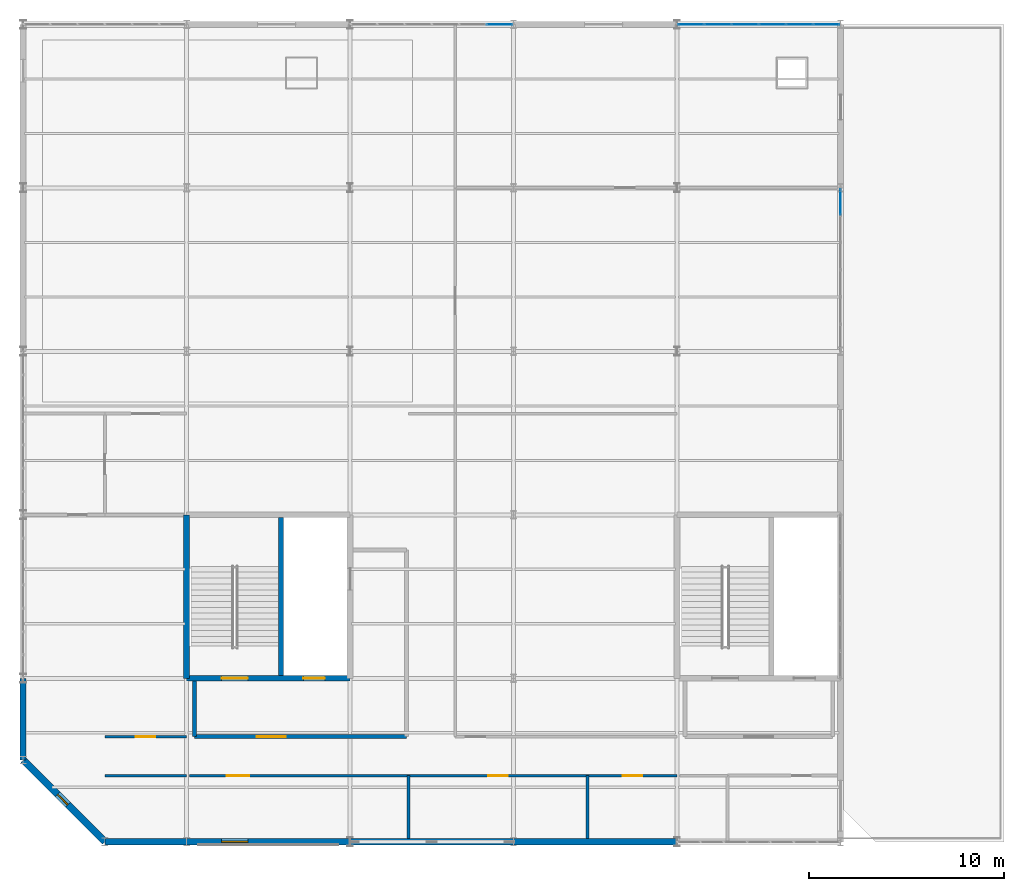
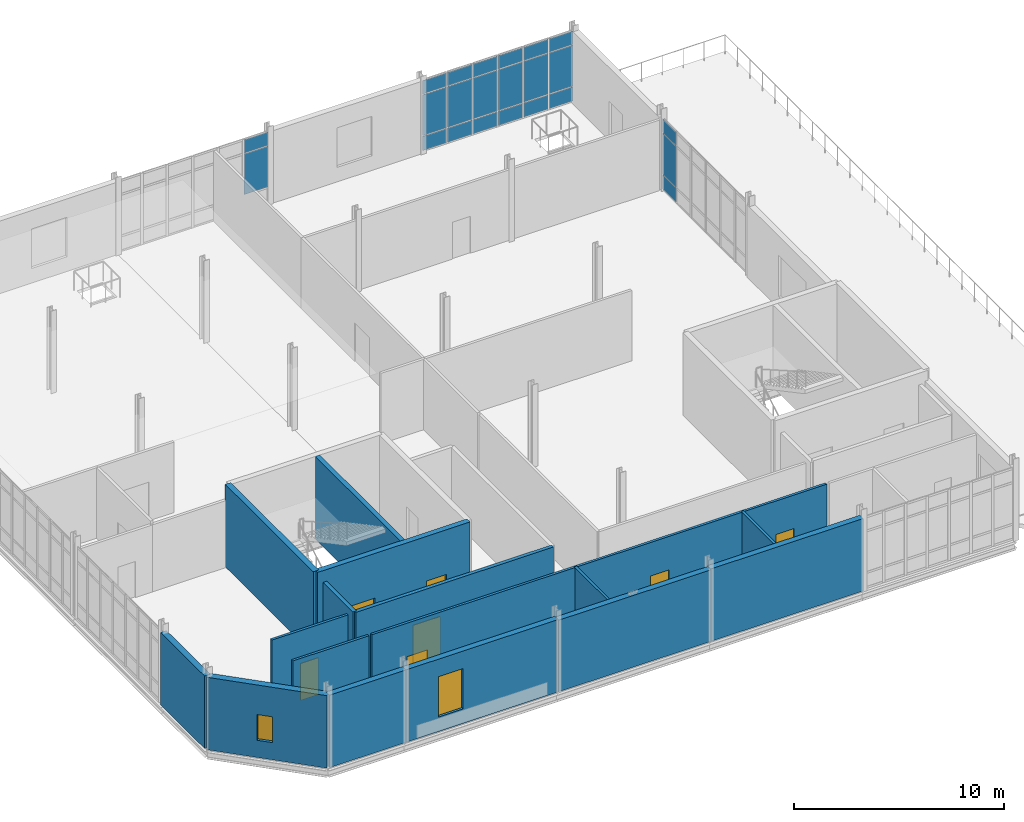
# One storey, part 23 of 28: 23 plates, 18 walls, 7 doors, 2 windows, 9 openings, 3 elements without a shape of their own.
"""IFC4 building model written with IfcOpenShell, lengths in metres."""

from ifc_helpers import new_model, si_unit, direction, frame, frame_2d, origin, origin_2d, place, context, subcontext, project, spatial, rectangle, extrude, material, layer, layer_set, type_object, element, fill, aggregate, save


model = new_model("IFC4")

# Units and contexts
model_context = context("Model", 3, precision=1e-05, world=origin(), true_north=direction((0.0, 1.0)))
body_context = subcontext(model_context, "Body", "Model", "MODEL_VIEW")
ifc_project = project(units=[si_unit("LENGTHUNIT", "METRE"), si_unit("AREAUNIT", "SQUARE_METRE"), si_unit("VOLUMEUNIT", "CUBIC_METRE"), si_unit("PLANEANGLEUNIT", "RADIAN"), si_unit("MASSUNIT", "GRAM", prefix="KILO")], contexts=[model_context])

# Site, building, storey
site_placement = place(None, origin())
site = spatial("IfcSite", under=ifc_project, at=site_placement, CompositionType="ELEMENT")
building_placement = place(site_placement, origin())
building = spatial("IfcBuilding", under=site, at=building_placement, Name="Qalvenar Corner Mobility Hub", CompositionType="ELEMENT")
storey_placement = place(building_placement, frame((0.0, 0.0, 21.60009765625)))
storey = spatial("IfcBuildingStorey", under=building, at=storey_placement, Name="L05", CompositionType="ELEMENT", Elevation=21.60009765625)

# Curtain wall, plates
ifc_material_1 = material(Name="Anodised Aluminium and Low-E Glazing", Category="aluminium")
ifc_layer_1 = layer(ifc_material_1, 0.14990234375)
ifc_layer_set_1 = layer_set([ifc_layer_1], Name="Anodised Aluminium and Low-E Glazing")
curtain_wall_type_1 = type_object("IfcCurtainWallType", Name="CW-CIV-84X40", PredefinedType="NOTDEFINED", material=ifc_layer_set_1)
curtain_wall_1_placement = place(storey_placement, origin())
curtain_wall_1 = element("IfcCurtainWall", 1, at=curtain_wall_1_placement, inside=storey, type_object=curtain_wall_type_1, Name="Glazed Curtain Wall CW-V3-L05-N2", PredefinedType="NOTDEFINED")
ifc_material_2 = material(Name="Solar-Control Low-E Double Glazing", Category="glass")
ifc_layer_2 = layer(ifc_material_2, 0.028076171875)
ifc_layer_set_2 = layer_set([ifc_layer_2], Name="Solar-Control Low-E Double Glazing")
plate_type = type_object("IfcPlateType", Name="PLT-CWP-GLZ1", PredefinedType="CURTAIN_PANEL", material=ifc_layer_set_2)
plate_1_placement = place(storey_placement, frame((24.485107421875, 42.0, 0.92724609375), z_axis=(0.0, 0.0, 1.0), x_axis=(-1.0, 0.0, 0.0)))
plate_1 = element("IfcPlate", 2, at=plate_1_placement, type_object=plate_type, Name="CW-05 panel 1.2", PredefinedType="CURTAIN_PANEL", context=body_context, shape_type="SweptSolid", body=[
    extrude(rectangle(XDim=1.31005859375, YDim=0.028076171875, at=origin_2d()), origin(), (0.0, 0.0, 1.0), 2.364990234375),
])
plate_2_placement = place(storey_placement, frame((24.485107421875, 42.0, 3.347412109375), z_axis=(0.0, 0.0, 1.0), x_axis=(-1.0, 0.0, 0.0)))
plate_2 = element("IfcPlate", 3, at=plate_2_placement, type_object=plate_type, Name="CW-05 panel 1.3", PredefinedType="CURTAIN_PANEL", context=body_context, shape_type="SweptSolid", body=[
    extrude(rectangle(XDim=1.31005859375, YDim=0.028076171875, at=origin_2d()), origin(), (0.0, 0.0, 1.0), 0.767578125),
])
aggregate(curtain_wall_1, [plate_1, plate_2])

curtain_wall_2_placement = place(storey_placement, origin())
curtain_wall_2 = element("IfcCurtainWall", 4, at=curtain_wall_2_placement, inside=storey, type_object=curtain_wall_type_1, Name="Glazed Curtain Wall CW-V3-L05-N4", PredefinedType="NOTDEFINED")
plate_3_placement = place(storey_placement, frame((41.284912109375, 42.0, 0.054931640625), z_axis=(0.0, 0.0, 1.0), x_axis=(-1.0, 0.0, 0.0)))
plate_3 = element("IfcPlate", 5, at=plate_3_placement, type_object=plate_type, Name="CW-05 panel 1.1", PredefinedType="CURTAIN_PANEL", context=body_context, shape_type="SweptSolid", body=[
    extrude(rectangle(XDim=1.31005859375, YDim=0.028076171875, at=origin_2d()), origin(), (0.0, 0.0, 1.0), 0.8173828125),
])
plate_4_placement = place(storey_placement, frame((41.284912109375, 42.0, 0.92724609375), z_axis=(0.0, 0.0, 1.0), x_axis=(-1.0, 0.0, 0.0)))
plate_4 = element("IfcPlate", 6, at=plate_4_placement, type_object=plate_type, Name="CW-05 panel 1.2", PredefinedType="CURTAIN_PANEL", context=body_context, shape_type="SweptSolid", body=[
    extrude(rectangle(XDim=1.31005859375, YDim=0.028076171875, at=origin_2d()), origin(), (0.0, 0.0, 1.0), 2.364990234375),
])
plate_5_placement = place(storey_placement, frame((41.284912109375, 42.0, 3.347412109375), z_axis=(0.0, 0.0, 1.0), x_axis=(-1.0, 0.0, 0.0)))
plate_5 = element("IfcPlate", 7, at=plate_5_placement, type_object=plate_type, Name="CW-05 panel 1.3", PredefinedType="CURTAIN_PANEL", context=body_context, shape_type="SweptSolid", body=[
    extrude(rectangle(XDim=1.31005859375, YDim=0.028076171875, at=origin_2d()), origin(), (0.0, 0.0, 1.0), 0.767578125),
])
plate_6_placement = place(storey_placement, frame((39.89990234375, 42.0, 0.054931640625), z_axis=(0.0, 0.0, 1.0), x_axis=(-1.0, 0.0, 0.0)))
plate_6 = element("IfcPlate", 8, at=plate_6_placement, type_object=plate_type, Name="CW-05 panel 2.1", PredefinedType="CURTAIN_PANEL", context=body_context, shape_type="SweptSolid", body=[
    extrude(rectangle(XDim=1.340087890625, YDim=0.028076171875, at=origin_2d()), origin(), (0.0, 0.0, 1.0), 0.8173828125),
])
plate_7_placement = place(storey_placement, frame((39.89990234375, 42.0, 0.92724609375), z_axis=(0.0, 0.0, 1.0), x_axis=(-1.0, 0.0, 0.0)))
plate_7 = element("IfcPlate", 9, at=plate_7_placement, type_object=plate_type, Name="CW-05 panel 2.2", PredefinedType="CURTAIN_PANEL", context=body_context, shape_type="SweptSolid", body=[
    extrude(rectangle(XDim=1.340087890625, YDim=0.028076171875, at=origin_2d()), origin(), (0.0, 0.0, 1.0), 2.364990234375),
])
plate_8_placement = place(storey_placement, frame((39.89990234375, 42.0, 3.347412109375), z_axis=(0.0, 0.0, 1.0), x_axis=(-1.0, 0.0, 0.0)))
plate_8 = element("IfcPlate", 10, at=plate_8_placement, type_object=plate_type, Name="CW-05 panel 2.3", PredefinedType="CURTAIN_PANEL", context=body_context, shape_type="SweptSolid", body=[
    extrude(rectangle(XDim=1.340087890625, YDim=0.028076171875, at=origin_2d()), origin(), (0.0, 0.0, 1.0), 0.767578125),
])
plate_9_placement = place(storey_placement, frame((38.5, 42.0, 0.054931640625), z_axis=(0.0, 0.0, 1.0), x_axis=(-1.0, 0.0, 0.0)))
plate_9 = element("IfcPlate", 11, at=plate_9_placement, type_object=plate_type, Name="CW-05 panel 3.1", PredefinedType="CURTAIN_PANEL", context=body_context, shape_type="SweptSolid", body=[
    extrude(rectangle(XDim=1.340087890625, YDim=0.028076171875, at=origin_2d()), origin(), (0.0, 0.0, 1.0), 0.8173828125),
])
plate_10_placement = place(storey_placement, frame((38.5, 42.0, 0.92724609375), z_axis=(0.0, 0.0, 1.0), x_axis=(-1.0, 0.0, 0.0)))
plate_10 = element("IfcPlate", 12, at=plate_10_placement, type_object=plate_type, Name="CW-05 panel 3.2", PredefinedType="CURTAIN_PANEL", context=body_context, shape_type="SweptSolid", body=[
    extrude(rectangle(XDim=1.340087890625, YDim=0.028076171875, at=origin_2d()), origin(), (0.0, 0.0, 1.0), 2.364990234375),
])
plate_11_placement = place(storey_placement, frame((38.5, 42.0, 3.347412109375), z_axis=(0.0, 0.0, 1.0), x_axis=(-1.0, 0.0, 0.0)))
plate_11 = element("IfcPlate", 13, at=plate_11_placement, type_object=plate_type, Name="CW-05 panel 3.3", PredefinedType="CURTAIN_PANEL", context=body_context, shape_type="SweptSolid", body=[
    extrude(rectangle(XDim=1.340087890625, YDim=0.028076171875, at=origin_2d()), origin(), (0.0, 0.0, 1.0), 0.767578125),
])
plate_12_placement = place(storey_placement, frame((37.10009765625, 42.0, 0.054931640625), z_axis=(0.0, 0.0, 1.0), x_axis=(-1.0, 0.0, 0.0)))
plate_12 = element("IfcPlate", 14, at=plate_12_placement, type_object=plate_type, Name="CW-05 panel 4.1", PredefinedType="CURTAIN_PANEL", context=body_context, shape_type="SweptSolid", body=[
    extrude(rectangle(XDim=1.340087890625, YDim=0.028076171875, at=origin_2d()), origin(), (0.0, 0.0, 1.0), 0.8173828125),
])
plate_13_placement = place(storey_placement, frame((37.10009765625, 42.0, 0.92724609375), z_axis=(0.0, 0.0, 1.0), x_axis=(-1.0, 0.0, 0.0)))
plate_13 = element("IfcPlate", 15, at=plate_13_placement, type_object=plate_type, Name="CW-05 panel 4.2", PredefinedType="CURTAIN_PANEL", context=body_context, shape_type="SweptSolid", body=[
    extrude(rectangle(XDim=1.340087890625, YDim=0.028076171875, at=origin_2d()), origin(), (0.0, 0.0, 1.0), 2.364990234375),
])
plate_14_placement = place(storey_placement, frame((37.10009765625, 42.0, 3.347412109375), z_axis=(0.0, 0.0, 1.0), x_axis=(-1.0, 0.0, 0.0)))
plate_14 = element("IfcPlate", 16, at=plate_14_placement, type_object=plate_type, Name="CW-05 panel 4.3", PredefinedType="CURTAIN_PANEL", context=body_context, shape_type="SweptSolid", body=[
    extrude(rectangle(XDim=1.340087890625, YDim=0.028076171875, at=origin_2d()), origin(), (0.0, 0.0, 1.0), 0.767578125),
])
plate_15_placement = place(storey_placement, frame((35.699951171875, 42.0, 0.054931640625), z_axis=(0.0, 0.0, 1.0), x_axis=(-1.0, 0.0, 0.0)))
plate_15 = element("IfcPlate", 17, at=plate_15_placement, type_object=plate_type, Name="CW-05 panel 5.1", PredefinedType="CURTAIN_PANEL", context=body_context, shape_type="SweptSolid", body=[
    extrude(rectangle(XDim=1.340087890625, YDim=0.028076171875, at=origin_2d()), origin(), (0.0, 0.0, 1.0), 0.8173828125),
])
plate_16_placement = place(storey_placement, frame((35.699951171875, 42.0, 0.92724609375), z_axis=(0.0, 0.0, 1.0), x_axis=(-1.0, 0.0, 0.0)))
plate_16 = element("IfcPlate", 18, at=plate_16_placement, type_object=plate_type, Name="CW-05 panel 5.2", PredefinedType="CURTAIN_PANEL", context=body_context, shape_type="SweptSolid", body=[
    extrude(rectangle(XDim=1.340087890625, YDim=0.028076171875, at=origin_2d()), origin(), (0.0, 0.0, 1.0), 2.364990234375),
])
plate_17_placement = place(storey_placement, frame((35.699951171875, 42.0, 3.347412109375), z_axis=(0.0, 0.0, 1.0), x_axis=(-1.0, 0.0, 0.0)))
plate_17 = element("IfcPlate", 19, at=plate_17_placement, type_object=plate_type, Name="CW-05 panel 5.3", PredefinedType="CURTAIN_PANEL", context=body_context, shape_type="SweptSolid", body=[
    extrude(rectangle(XDim=1.340087890625, YDim=0.028076171875, at=origin_2d()), origin(), (0.0, 0.0, 1.0), 0.767578125),
])
plate_18_placement = place(storey_placement, frame((34.31494140625, 42.0, 0.054931640625), z_axis=(0.0, 0.0, 1.0), x_axis=(-1.0, 0.0, 0.0)))
plate_18 = element("IfcPlate", 20, at=plate_18_placement, type_object=plate_type, Name="CW-05 panel 6.1", PredefinedType="CURTAIN_PANEL", context=body_context, shape_type="SweptSolid", body=[
    extrude(rectangle(XDim=1.31005859375, YDim=0.028076171875, at=origin_2d()), origin(), (0.0, 0.0, 1.0), 0.8173828125),
])
plate_19_placement = place(storey_placement, frame((34.31494140625, 42.0, 0.92724609375), z_axis=(0.0, 0.0, 1.0), x_axis=(-1.0, 0.0, 0.0)))
plate_19 = element("IfcPlate", 21, at=plate_19_placement, type_object=plate_type, Name="CW-05 panel 6.2", PredefinedType="CURTAIN_PANEL", context=body_context, shape_type="SweptSolid", body=[
    extrude(rectangle(XDim=1.31005859375, YDim=0.028076171875, at=origin_2d()), origin(), (0.0, 0.0, 1.0), 2.364990234375),
])
plate_20_placement = place(storey_placement, frame((34.31494140625, 42.0, 3.347412109375), z_axis=(0.0, 0.0, 1.0), x_axis=(-1.0, 0.0, 0.0)))
plate_20 = element("IfcPlate", 22, at=plate_20_placement, type_object=plate_type, Name="CW-05 panel 6.3", PredefinedType="CURTAIN_PANEL", context=body_context, shape_type="SweptSolid", body=[
    extrude(rectangle(XDim=1.31005859375, YDim=0.028076171875, at=origin_2d()), origin(), (0.0, 0.0, 1.0), 0.767578125),
])
aggregate(curtain_wall_2, [plate_3, plate_4, plate_5, plate_6, plate_7, plate_8, plate_9, plate_10, plate_11, plate_12, plate_13, plate_14, plate_15, plate_16, plate_17, plate_18, plate_19, plate_20])

ifc_layer_3 = layer(ifc_material_1, 0.14990234375)
ifc_layer_set_3 = layer_set([ifc_layer_3], Name="Anodised Aluminium and Low-E Glazing")
curtain_wall_type_2 = type_object("IfcCurtainWallType", Name="CW-SPT-84X44", PredefinedType="NOTDEFINED", material=ifc_layer_set_3)
curtain_wall_3_placement = place(storey_placement, origin())
curtain_wall_3 = element("IfcCurtainWall", 23, at=curtain_wall_3_placement, inside=storey, type_object=curtain_wall_type_2, Name="Glazed Curtain Wall CW-V3-L05-E3", PredefinedType="NOTDEFINED")
plate_21_placement = place(storey_placement, frame((42.0, 32.885009765625, 0.054931640625), z_axis=(0.0, 0.0, 1.0), x_axis=(0.0, 1.0, 0.0)))
plate_21 = element("IfcPlate", 24, at=plate_21_placement, type_object=plate_type, Name="CW-06 panel 6.1", PredefinedType="CURTAIN_PANEL", context=body_context, shape_type="SweptSolid", body=[
    extrude(rectangle(XDim=1.31005859375, YDim=0.028076171875, at=origin_2d()), origin(), (0.0, 0.0, 1.0), 0.8173828125),
])
plate_22_placement = place(storey_placement, frame((42.0, 32.885009765625, 0.92724609375), z_axis=(0.0, 0.0, 1.0), x_axis=(0.0, 1.0, 0.0)))
plate_22 = element("IfcPlate", 25, at=plate_22_placement, type_object=plate_type, Name="CW-06 panel 6.2", PredefinedType="CURTAIN_PANEL", context=body_context, shape_type="SweptSolid", body=[
    extrude(rectangle(XDim=1.31005859375, YDim=0.028076171875, at=origin_2d()), origin(), (0.0, 0.0, 1.0), 2.364990234375),
])
plate_23_placement = place(storey_placement, frame((42.0, 32.885009765625, 3.347412109375), z_axis=(0.0, 0.0, 1.0), x_axis=(0.0, 1.0, 0.0)))
plate_23 = element("IfcPlate", 26, at=plate_23_placement, type_object=plate_type, Name="CW-06 panel 6.3", PredefinedType="CURTAIN_PANEL", context=body_context, shape_type="SweptSolid", body=[
    extrude(rectangle(XDim=1.31005859375, YDim=0.028076171875, at=origin_2d()), origin(), (0.0, 0.0, 1.0), 0.767578125),
])
aggregate(curtain_wall_3, [plate_21, plate_22, plate_23])

# Wall
ifc_material_3 = material(Name="Concrete C40/50", Category="concrete")
ifc_layer_4 = layer(ifc_material_3, 0.25)
ifc_layer_set_4 = layer_set([ifc_layer_4], Name="Concrete C40/50")
wall_type_1 = type_object("IfcWallType", Name="WL-CORE250", PredefinedType="SHEAR", material=ifc_layer_set_4)
wall_1_placement = place(storey_placement, frame((13.25, 8.550048828125, 0.0), z_axis=(0.0, 0.0, 1.0), x_axis=(0.0, 1.0, 0.0)))
element("IfcWall", 27, at=wall_1_placement, inside=storey, type_object=wall_type_1, Name="Core Divider Wall C1-L05", PredefinedType="SHEAR", context=body_context, shape_type="SweptSolid", body=[
    extrude(rectangle(XDim=8.099853515625, YDim=0.25, at=frame_2d((4.0498046875, 0.0))), origin(), (0.0, 0.0, 1.0), 4.7998046875),
])

# Wall, openings, doors
ifc_layer_5 = layer(ifc_material_3, 0.300048828125)
ifc_layer_set_5 = layer_set([ifc_layer_5], Name="Concrete C40/50")
wall_type_2 = type_object("IfcWallType", Name="WL-CORE300", PredefinedType="SHEAR", material=ifc_layer_set_5)
wall_2_placement = place(storey_placement, frame((8.39990234375, 8.39990234375, 0.0), z_axis=(0.0, 0.0, 1.0), x_axis=(1.0, 0.0, 0.0)))
wall_2 = element("IfcWall", 28, at=wall_2_placement, inside=storey, type_object=wall_type_2, Name="Core Shear Wall C1-L05-S", PredefinedType="SHEAR", context=body_context, shape_type="SweptSolid", body=[
    extrude(rectangle(XDim=8.400146484375, YDim=0.300048828125, at=frame_2d((4.2001953125, 0.0))), origin(), (0.0, 0.0, 1.0), 4.7998046875),
])
opening_1_placement = place(wall_2_placement, frame((1.800048828125, 0.0, 0.0)))
opening_1 = element("IfcOpeningElement", 29, at=opening_1_placement, cuts=wall_2, Name="Opening DR-255", PredefinedType="OPENING", context=body_context, shape_type="SweptSolid", body=[
    extrude(rectangle(XDim=1.35009765625, YDim=2.199951171875, at=frame_2d((0.675048828125, 1.10009765625))), frame((0.0, 0.16015625, 0.0), z_axis=(0.0, -1.0, 0.0), x_axis=(1.0, 0.0, 0.0)), (0.0, 0.0, 1.0), 0.320068359375),
])
opening_2_placement = place(wall_2_placement, frame((6.0, 0.0, 0.0)))
opening_2 = element("IfcOpeningElement", 30, at=opening_2_placement, cuts=wall_2, Name="Opening DR-256", PredefinedType="OPENING", context=body_context, shape_type="SweptSolid", body=[
    extrude(rectangle(XDim=1.10009765625, YDim=2.199951171875, at=frame_2d((0.550048828125, 1.10009765625))), frame((0.0, 0.16015625, 0.0), z_axis=(0.0, -1.0, 0.0), x_axis=(1.0, 0.0, 0.0)), (0.0, 0.0, 1.0), 0.320068359375),
])
ifc_material_4 = material(Name="Stainless Steel Lift Landing Door", Category="steel")
door_type_1 = type_object("IfcDoorType", Name="DR-LIFT-110", OperationType="SLIDING_TO_LEFT", PredefinedType="DOOR", material=ifc_material_4)
door_1_placement = place(opening_2_placement, origin())
door_1 = element("IfcDoor", 31, at=door_1_placement, inside=storey, type_object=door_type_1, Name="DR-256 Lift Landing Door LF1-L05", OperationType="SLIDING_TO_LEFT", OverallHeight=2.199951171875, OverallWidth=1.10009765625, PredefinedType="DOOR", context=body_context, shape_type="SweptSolid", body=[
    extrude(rectangle(XDim=1.10009765625, YDim=2.199951171875, at=frame_2d((0.550048828125, 1.10009765625))), frame((0.0, 0.02490234375, 0.0), z_axis=(0.0, -1.0, 0.0), x_axis=(1.0, 0.0, 0.0)), (0.0, 0.0, 1.0), 0.050048828125),
])
fill(opening_2, door_1)
ifc_material_5 = material(Name="Fire-Rated Steel Stair Door FD90", Category="steel")
door_type_2 = type_object("IfcDoorType", Name="DR-STAIR-135", OperationType="NOTDEFINED", PredefinedType="DOOR", material=ifc_material_5)
door_2_placement = place(opening_1_placement, origin())
door_2 = element("IfcDoor", 32, at=door_2_placement, inside=storey, type_object=door_type_2, Name="DR-255 Stair Fire Door ST1-L05", OperationType="SINGLE_SWING_RIGHT", OverallHeight=2.199951171875, OverallWidth=1.35009765625, PredefinedType="DOOR", context=body_context, shape_type="SweptSolid", body=[
    extrude(rectangle(XDim=1.35009765625, YDim=2.199951171875, at=frame_2d((0.675048828125, 1.10009765625))), frame((0.0, 0.02490234375, 0.0), z_axis=(0.0, -1.0, 0.0), x_axis=(1.0, 0.0, 0.0)), (0.0, 0.0, 1.0), 0.050048828125),
])
fill(opening_1, door_2)

# Walls
wall_3_placement = place(storey_placement, frame((8.39990234375, 16.800048828125, 0.0), z_axis=(0.0, 0.0, 1.0), x_axis=(0.0, -1.0, 0.0)))
element("IfcWall", 33, at=wall_3_placement, inside=storey, type_object=wall_type_2, Name="Core Shear Wall C1-L05-W", PredefinedType="SHEAR", context=body_context, shape_type="SweptSolid", body=[
    extrude(rectangle(XDim=8.400146484375, YDim=0.300048828125, at=frame_2d((4.2001953125, 0.0))), origin(), (0.0, 0.0, 1.0), 4.7998046875),
])
ifc_material_6 = material(Name="Red Sandstone Ashlar Masonry", Category="masonry")
ifc_layer_6 = layer(ifc_material_6, 0.320068359375)
ifc_layer_set_6 = layer_set([ifc_layer_6], Name="Red Sandstone Ashlar Masonry")
wall_type_3 = type_object("IfcWallType", Name="WL-EXT-SAND320", PredefinedType="STANDARD", material=ifc_layer_set_6)
wall_4_placement = place(storey_placement, frame((4.199951171875, 0.0, 0.0), z_axis=(0.0, 0.0, 1.0), x_axis=(1.0, 0.0, 0.0)))
element("IfcWall", 34, at=wall_4_placement, inside=storey, type_object=wall_type_3, Name="Exterior Facade Wall EW-V3-L05-056", PredefinedType="STANDARD", context=body_context, shape_type="SweptSolid", body=[
    extrude(rectangle(XDim=4.199951171875, YDim=0.320068359375, at=frame_2d((2.10009765625, 0.0))), origin(), (0.0, 0.0, 1.0), 4.219970703125),
])

# Wall, opening, window
wall_5_placement = place(storey_placement, frame((8.39990234375, 0.0, 0.0), z_axis=(0.0, 0.0, 1.0), x_axis=(1.0, 0.0, 0.0)))
wall_5 = element("IfcWall", 35, at=wall_5_placement, inside=storey, type_object=wall_type_3, Name="Exterior Facade Wall EW-V3-L05-057", PredefinedType="STANDARD", context=body_context, shape_type="SweptSolid", body=[
    extrude(rectangle(XDim=8.400146484375, YDim=0.320068359375, at=frame_2d((4.2001953125, 0.0))), origin(), (0.0, 0.0, 1.0), 4.219970703125),
])
opening_3_placement = place(wall_5_placement, frame((1.800048828125, 0.0, 0.85009765625)))
opening_3 = element("IfcOpeningElement", 36, at=opening_3_placement, cuts=wall_5, Name="Opening W-27", PredefinedType="OPENING", context=body_context, shape_type="SweptSolid", body=[
    extrude(rectangle(XDim=1.35009765625, YDim=2.35009765625, at=frame_2d((0.675048828125, 1.175048828125))), frame((0.0, 0.169921875, 0.0), z_axis=(0.0, -1.0, 0.0), x_axis=(1.0, 0.0, 0.0)), (0.0, 0.0, 1.0), 0.340087890625),
])
ifc_material_7 = material(Name="Solar-Control Double-Glazed Bronze Window", Category="glass")
window_type_1 = type_object("IfcWindowType", Name="WN-CIV-135X235", PartitioningType="SINGLE_PANEL", PredefinedType="WINDOW", material=ifc_material_7)
window_1_placement = place(opening_3_placement, origin())
window_1 = element("IfcWindow", 37, at=window_1_placement, inside=storey, type_object=window_type_1, Name="Facade Window EW-V3-L05-057-W1", OverallHeight=2.35009765625, OverallWidth=1.35009765625, PartitioningType="SINGLE_PANEL", PredefinedType="WINDOW", context=body_context, shape_type="SweptSolid", body=[
    extrude(rectangle(XDim=1.35009765625, YDim=2.35009765625, at=frame_2d((0.675048828125, 1.175048828125))), frame((0.0, 0.030029296875, 0.0), z_axis=(0.0, -1.0, 0.0), x_axis=(1.0, 0.0, 0.0)), (0.0, 0.0, 1.0), 0.06005859375),
])
fill(opening_3, window_1)

# Walls
wall_6_placement = place(storey_placement, frame((16.800048828125, 0.0, 0.0), z_axis=(0.0, 0.0, 1.0), x_axis=(1.0, 0.0, 0.0)))
element("IfcWall", 38, at=wall_6_placement, inside=storey, type_object=wall_type_3, Name="Exterior Facade Wall EW-BR-CW-V3-L05-S2", PredefinedType="STANDARD", context=body_context, shape_type="SweptSolid", body=[
    extrude(rectangle(XDim=8.39990234375, YDim=0.320068359375, at=frame_2d((4.199951171875, 0.0))), origin(), (0.0, 0.0, 1.0), 4.169921875),
])
wall_7_placement = place(storey_placement, frame((25.199951171875, 0.0, 0.0), z_axis=(0.0, 0.0, 1.0), x_axis=(1.0, 0.0, 0.0)))
element("IfcWall", 39, at=wall_7_placement, inside=storey, type_object=wall_type_3, Name="Exterior Facade Wall EW-V3-L05-058", PredefinedType="STANDARD", context=body_context, shape_type="SweptSolid", body=[
    extrude(rectangle(XDim=8.400146484375, YDim=0.320068359375, at=frame_2d((4.2001953125, 0.0))), origin(), (0.0, 0.0, 1.0), 4.219970703125),
])
wall_8_placement = place(storey_placement, frame((0.0, 8.39990234375, 0.0), z_axis=(0.0, 0.0, 1.0), x_axis=(0.0, -1.0, 0.0)))
element("IfcWall", 40, at=wall_8_placement, inside=storey, type_object=wall_type_3, Name="Exterior Facade Wall EW-V3-L05-059", PredefinedType="STANDARD", context=body_context, shape_type="SweptSolid", body=[
    extrude(rectangle(XDim=4.199951171875, YDim=0.320068359375, at=frame_2d((2.10009765625, 0.0))), origin(), (0.0, 0.0, 1.0), 4.219970703125),
])

# Wall, opening, window
ifc_material_8 = material(Name="Red Sandstone Ashlar Masonry", Category="masonry")
ifc_layer_7 = layer(ifc_material_8, 0.360107421875)
ifc_layer_set_7 = layer_set([ifc_layer_7], Name="Red Sandstone Ashlar Masonry")
wall_type_4 = type_object("IfcWallType", Name="WL-EXT-SAND360", PredefinedType="STANDARD", material=ifc_layer_set_7)
wall_9_placement = place(storey_placement, frame((0.0, 4.199951171875, 0.0), z_axis=(0.0, 0.0, 1.0), x_axis=(0.707106781187, -0.707106781187, 0.0)))
wall_9 = element("IfcWall", 41, at=wall_9_placement, inside=storey, type_object=wall_type_4, Name="Exterior Facade Wall EW-V3-SPL-L05", PredefinedType="STANDARD", context=body_context, shape_type="SweptSolid", body=[
    extrude(rectangle(XDim=5.939697265625, YDim=0.360107421875, at=frame_2d((2.9697265625, 0.0))), origin(), (0.0, 0.0, 1.0), 4.219970703125),
])
opening_4_placement = place(wall_9_placement, frame((2.5, 0.0, 1.0)))
opening_4 = element("IfcOpeningElement", 42, at=opening_4_placement, cuts=wall_9, Name="Opening W-24", PredefinedType="OPENING", context=body_context, shape_type="SweptSolid", body=[
    extrude(rectangle(XDim=0.75, YDim=1.5, at=frame_2d((0.375, 0.75))), frame((0.0, 0.18994140625, 0.0), z_axis=(0.0, -1.0, 0.0), x_axis=(1.0, 0.0, 0.0)), (0.0, 0.0, 1.0), 0.380126953125),
])
window_type_2 = type_object("IfcWindowType", Name="WN-STR-075X150", PartitioningType="SINGLE_PANEL", PredefinedType="WINDOW", material=ifc_material_7)
window_2_placement = place(opening_4_placement, origin())
window_2 = element("IfcWindow", 43, at=window_2_placement, inside=storey, type_object=window_type_2, Name="Facade Window EW-V3-SPL-L05-W1", OverallHeight=1.5, OverallWidth=0.75, PartitioningType="SINGLE_PANEL", PredefinedType="WINDOW", context=body_context, shape_type="SweptSolid", body=[
    extrude(rectangle(XDim=0.75, YDim=1.5, at=frame_2d((0.375, 0.75))), frame((0.0, 0.030029296875, 0.0), z_axis=(0.0, -1.0, 0.0), x_axis=(1.0, 0.0, 0.0)), (0.0, 0.0, 1.0), 0.06005859375),
])
fill(opening_4, window_2)

# Wall
ifc_material_9 = material(Name="Acoustic Gypsum Stud Partition", Category="masonry")
ifc_layer_8 = layer(ifc_material_9, 0.139892578125)
ifc_layer_set_8 = layer_set([ifc_layer_8], Name="Acoustic Gypsum Stud Partition")
wall_type_5 = type_object("IfcWallType", Name="WL-INT140", PredefinedType="PARTITIONING", material=ifc_layer_set_8)
wall_10_placement = place(storey_placement, frame((4.199951171875, 3.39990234375, 0.0), z_axis=(0.0, 0.0, 1.0), x_axis=(1.0, 0.0, 0.0)))
element("IfcWall", 44, at=wall_10_placement, inside=storey, type_object=wall_type_5, Name="Interior Partition PRT-L05-001", PredefinedType="PARTITIONING", context=body_context, shape_type="SweptSolid", body=[
    extrude(rectangle(XDim=4.199951171875, YDim=0.139892578125, at=frame_2d((2.10009765625, 0.0))), origin(), (0.0, 0.0, 1.0), 4.099853515625),
])

# Wall, opening, door
wall_11_placement = place(storey_placement, frame((8.550048828125, 3.39990234375, 0.0), z_axis=(0.0, 0.0, 1.0), x_axis=(1.0, 0.0, 0.0)))
wall_11 = element("IfcWall", 45, at=wall_11_placement, inside=storey, type_object=wall_type_5, Name="Interior Partition PRT-L05-002", PredefinedType="PARTITIONING", context=body_context, shape_type="SweptSolid", body=[
    extrude(rectangle(XDim=11.25, YDim=0.139892578125, at=frame_2d((5.625, 0.0))), origin(), (0.0, 0.0, 1.0), 4.099853515625),
])
opening_5_placement = place(wall_11_placement, frame((1.919921875, 0.0, 0.0)))
opening_5 = element("IfcOpeningElement", 46, at=opening_5_placement, cuts=wall_11, Name="Opening DR-262", PredefinedType="OPENING", context=body_context, shape_type="SweptSolid", body=[
    extrude(rectangle(XDim=1.14990234375, YDim=2.14990234375, at=frame_2d((0.574951171875, 1.074951171875))), frame((0.0, 0.080078125, 0.0), z_axis=(0.0, -1.0, 0.0), x_axis=(1.0, 0.0, 0.0)), (0.0, 0.0, 1.0), 0.159912109375),
])
ifc_material_10 = material(Name="Steel Parts Store Door FD60", Category="steel")
door_type_3 = type_object("IfcDoorType", Name="DR-INT-STR115", OperationType="NOTDEFINED", PredefinedType="DOOR", material=ifc_material_10)
door_3_placement = place(opening_5_placement, origin())
door_3 = element("IfcDoor", 47, at=door_3_placement, inside=storey, type_object=door_type_3, Name="DR-262 Sports Court Equipment Store Door", OperationType="SINGLE_SWING_RIGHT", OverallHeight=2.14990234375, OverallWidth=1.14990234375, PredefinedType="DOOR", context=body_context, shape_type="SweptSolid", body=[
    extrude(rectangle(XDim=1.14990234375, YDim=2.14990234375, at=frame_2d((0.574951171875, 1.074951171875))), frame((0.0, 0.02490234375, 0.0), z_axis=(0.0, -1.0, 0.0), x_axis=(1.0, 0.0, 0.0)), (0.0, 0.0, 1.0), 0.050048828125),
])
fill(opening_5, door_3)

wall_12_placement = place(storey_placement, frame((19.800048828125, 3.39990234375, 0.0), z_axis=(0.0, 0.0, 1.0), x_axis=(1.0, 0.0, 0.0)))
wall_12 = element("IfcWall", 48, at=wall_12_placement, inside=storey, type_object=wall_type_5, Name="Interior Partition PRT-L05-003", PredefinedType="PARTITIONING", context=body_context, shape_type="SweptSolid", body=[
    extrude(rectangle(XDim=9.199951171875, YDim=0.139892578125, at=frame_2d((4.60009765625, 0.0))), origin(), (0.0, 0.0, 1.0), 4.099853515625),
])
opening_6_placement = place(wall_12_placement, frame((4.10009765625, 0.0, 0.0)))
opening_6 = element("IfcOpeningElement", 49, at=opening_6_placement, cuts=wall_12, Name="Opening DR-263", PredefinedType="OPENING", context=body_context, shape_type="SweptSolid", body=[
    extrude(rectangle(XDim=1.0, YDim=2.14990234375, at=frame_2d((0.5, 1.074951171875))), frame((0.0, 0.080078125, 0.0), z_axis=(0.0, -1.0, 0.0), x_axis=(1.0, 0.0, 0.0)), (0.0, 0.0, 1.0), 0.159912109375),
])
ifc_material_11 = material(Name="Hardwood Teak Office Door FD30", Category="wood")
door_type_4 = type_object("IfcDoorType", Name="DR-INT-OFF100", OperationType="NOTDEFINED", PredefinedType="DOOR", material=ifc_material_11)
door_4_placement = place(opening_6_placement, origin())
door_4 = element("IfcDoor", 50, at=door_4_placement, inside=storey, type_object=door_type_4, Name="DR-263 Sports Pavilion Changing and Locker Room Door", OperationType="SINGLE_SWING_LEFT", OverallHeight=2.14990234375, OverallWidth=1.0, PredefinedType="DOOR", context=body_context, shape_type="SweptSolid", body=[
    extrude(rectangle(XDim=1.0, YDim=2.14990234375, at=frame_2d((0.5, 1.074951171875))), frame((0.0, 0.02490234375, 0.0), z_axis=(0.0, -1.0, 0.0), x_axis=(1.0, 0.0, 0.0)), (0.0, 0.0, 1.0), 0.050048828125),
])
fill(opening_6, door_4)

wall_13_placement = place(storey_placement, frame((29.0, 3.39990234375, 0.0), z_axis=(0.0, 0.0, 1.0), x_axis=(1.0, 0.0, 0.0)))
wall_13 = element("IfcWall", 51, at=wall_13_placement, inside=storey, type_object=wall_type_5, Name="Interior Partition PRT-L05-004", PredefinedType="PARTITIONING", context=body_context, shape_type="SweptSolid", body=[
    extrude(rectangle(XDim=4.60009765625, YDim=0.139892578125, at=frame_2d((2.300048828125, 0.0))), origin(), (0.0, 0.0, 1.0), 4.099853515625),
])
opening_7_placement = place(wall_13_placement, frame((1.800048828125, 0.0, 0.0)))
opening_7 = element("IfcOpeningElement", 52, at=opening_7_placement, cuts=wall_13, Name="Opening DR-264", PredefinedType="OPENING", context=body_context, shape_type="SweptSolid", body=[
    extrude(rectangle(XDim=1.0, YDim=2.14990234375, at=frame_2d((0.5, 1.074951171875))), frame((0.0, 0.080078125, 0.0), z_axis=(0.0, -1.0, 0.0), x_axis=(1.0, 0.0, 0.0)), (0.0, 0.0, 1.0), 0.159912109375),
])
door_5_placement = place(opening_7_placement, origin())
door_5 = element("IfcDoor", 53, at=door_5_placement, inside=storey, type_object=door_type_4, Name="DR-264 Sports Pavilion Changing and Locker Room Door", OperationType="SINGLE_SWING_RIGHT", OverallHeight=2.14990234375, OverallWidth=1.0, PredefinedType="DOOR", context=body_context, shape_type="SweptSolid", body=[
    extrude(rectangle(XDim=1.0, YDim=2.14990234375, at=frame_2d((0.5, 1.074951171875))), frame((0.0, 0.02490234375, 0.0), z_axis=(0.0, -1.0, 0.0), x_axis=(1.0, 0.0, 0.0)), (0.0, 0.0, 1.0), 0.050048828125),
])
fill(opening_7, door_5)

wall_14_placement = place(storey_placement, frame((4.199951171875, 5.39990234375, 0.0), z_axis=(0.0, 0.0, 1.0), x_axis=(1.0, 0.0, 0.0)))
wall_14 = element("IfcWall", 54, at=wall_14_placement, inside=storey, type_object=wall_type_5, Name="Interior Partition PRT-L05-007", PredefinedType="PARTITIONING", context=body_context, shape_type="SweptSolid", body=[
    extrude(rectangle(XDim=4.199951171875, YDim=0.139892578125, at=frame_2d((2.10009765625, 0.0))), origin(), (0.0, 0.0, 1.0), 4.099853515625),
])
opening_8_placement = place(wall_14_placement, frame((1.60009765625, 0.0, 0.0)))
opening_8 = element("IfcOpeningElement", 55, at=opening_8_placement, cuts=wall_14, Name="Opening DR-266", PredefinedType="OPENING", context=body_context, shape_type="SweptSolid", body=[
    extrude(rectangle(XDim=1.0, YDim=2.14990234375, at=frame_2d((0.5, 1.074951171875))), frame((0.0, 0.080078125, 0.0), z_axis=(0.0, -1.0, 0.0), x_axis=(1.0, 0.0, 0.0)), (0.0, 0.0, 1.0), 0.159912109375),
])
door_6_placement = place(opening_8_placement, origin())
door_6 = element("IfcDoor", 56, at=door_6_placement, inside=storey, type_object=door_type_4, Name="DR-266 Sports Physiotherapy and First Aid Room Door", OperationType="SINGLE_SWING_LEFT", OverallHeight=2.14990234375, OverallWidth=1.0, PredefinedType="DOOR", context=body_context, shape_type="SweptSolid", body=[
    extrude(rectangle(XDim=1.0, YDim=2.14990234375, at=frame_2d((0.5, 1.074951171875))), frame((0.0, 0.02490234375, 0.0), z_axis=(0.0, -1.0, 0.0), x_axis=(1.0, 0.0, 0.0)), (0.0, 0.0, 1.0), 0.050048828125),
])
fill(opening_8, door_6)

# Walls
for number, where, z_axis, x_axis, name in (
    (57, (19.800048828125, 0.1650390625, 0.0), (0.0, 0.0, 1.0), (0.0, 1.0, 0.0), "Interior Partition PRT-L05-018"),
    (58, (29.0, 0.1650390625, 0.0), (0.0, 0.0, 1.0), (0.0, 1.0, 0.0), "Interior Partition PRT-L05-023"),
):
    element("IfcWall", number, at=place(storey_placement, frame(where, z_axis=z_axis, x_axis=x_axis)), inside=storey, type_object=wall_type_5, Name=name, PredefinedType="PARTITIONING", context=body_context, shape_type="SweptSolid", body=[
        extrude(rectangle(XDim=3.23486328125, YDim=0.139892578125, at=frame_2d((1.617431640625, 0.0))), origin(), (0.0, 0.0, 1.0), 4.099853515625),
    ])
ifc_material_12 = material(Name="Concrete Blockwork Masonry", Category="masonry")
ifc_layer_9 = layer(ifc_material_12, 0.199951171875)
ifc_layer_set_9 = layer_set([ifc_layer_9], Name="Concrete Blockwork Masonry")
wall_type_6 = type_object("IfcWallType", Name="WL-LOBBY200", PredefinedType="PARTITIONING", material=ifc_layer_set_9)
wall_15_placement = place(storey_placement, frame((8.800048828125, 5.39990234375, 0.0), z_axis=(0.0, 0.0, 1.0), x_axis=(0.0, 1.0, 0.0)))
element("IfcWall", 59, at=wall_15_placement, inside=storey, type_object=wall_type_6, Name="Interior Partition WL-LOB-C1-L05-W", PredefinedType="PARTITIONING", context=body_context, shape_type="SweptSolid", body=[
    extrude(rectangle(XDim=2.85009765625, YDim=0.199951171875, at=frame_2d((1.425048828125, 0.0))), origin(), (0.0, 0.0, 1.0), 4.119873046875),
])

# Wall, opening, door
wall_16_placement = place(storey_placement, frame((8.800048828125, 5.39990234375, 0.0), z_axis=(0.0, 0.0, 1.0), x_axis=(1.0, 0.0, 0.0)))
wall_16 = element("IfcWall", 60, at=wall_16_placement, inside=storey, type_object=wall_type_6, Name="Interior Partition WL-LOB-C1-L05-S", PredefinedType="PARTITIONING", context=body_context, shape_type="SweptSolid", body=[
    extrude(rectangle(XDim=10.89990234375, YDim=0.199951171875, at=frame_2d((5.449951171875, 0.0))), origin(), (0.0, 0.0, 1.0), 4.119873046875),
])
opening_9_placement = place(wall_16_placement, frame((3.199951171875, 0.0, 0.0)))
opening_9 = element("IfcOpeningElement", 61, at=opening_9_placement, cuts=wall_16, Name="Opening DR-258", PredefinedType="OPENING", context=body_context, shape_type="SweptSolid", body=[
    extrude(rectangle(XDim=1.5, YDim=2.199951171875, at=frame_2d((0.75, 1.10009765625))), frame((0.0, 0.10986328125, 0.0), z_axis=(0.0, -1.0, 0.0), x_axis=(1.0, 0.0, 0.0)), (0.0, 0.0, 1.0), 0.219970703125),
])
ifc_material_13 = material(Name="Firefighting Lobby Smoke-Control Door FD60", Category="steel")
door_type_5 = type_object("IfcDoorType", Name="DR-FFLOB-150", OperationType="DOUBLE_DOOR_SINGLE_SWING", PredefinedType="DOOR", material=ifc_material_13)
door_7_placement = place(opening_9_placement, origin())
door_7 = element("IfcDoor", 62, at=door_7_placement, inside=storey, type_object=door_type_5, Name="DR-258 Lift Lobby Smoke Door C1-L05", OperationType="DOUBLE_DOOR_SINGLE_SWING", OverallHeight=2.199951171875, OverallWidth=1.5, PredefinedType="DOOR", context=body_context, shape_type="SweptSolid", body=[
    extrude(rectangle(XDim=1.5, YDim=2.199951171875, at=frame_2d((0.75, 1.10009765625))), frame((0.0, 0.02490234375, 0.0), z_axis=(0.0, -1.0, 0.0), x_axis=(1.0, 0.0, 0.0)), (0.0, 0.0, 1.0), 0.050048828125),
])
fill(opening_9, door_7)

save(model, "model.ifc")
